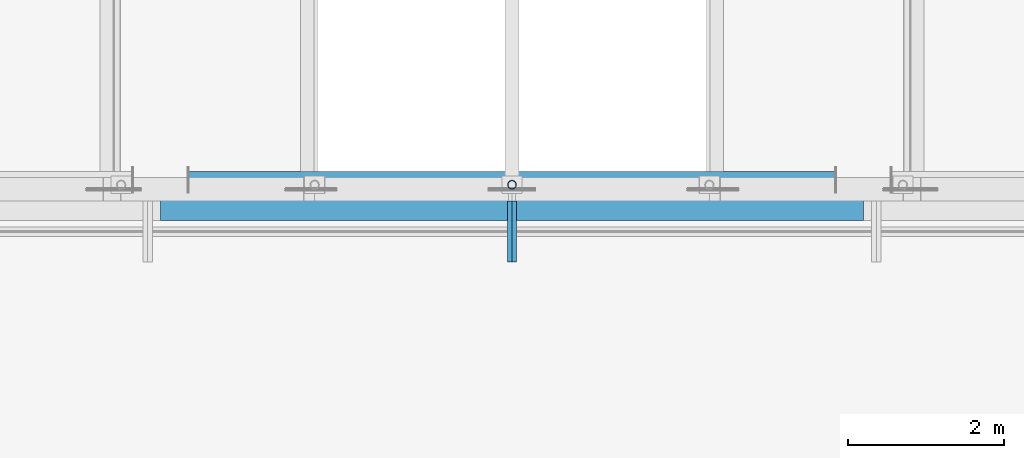
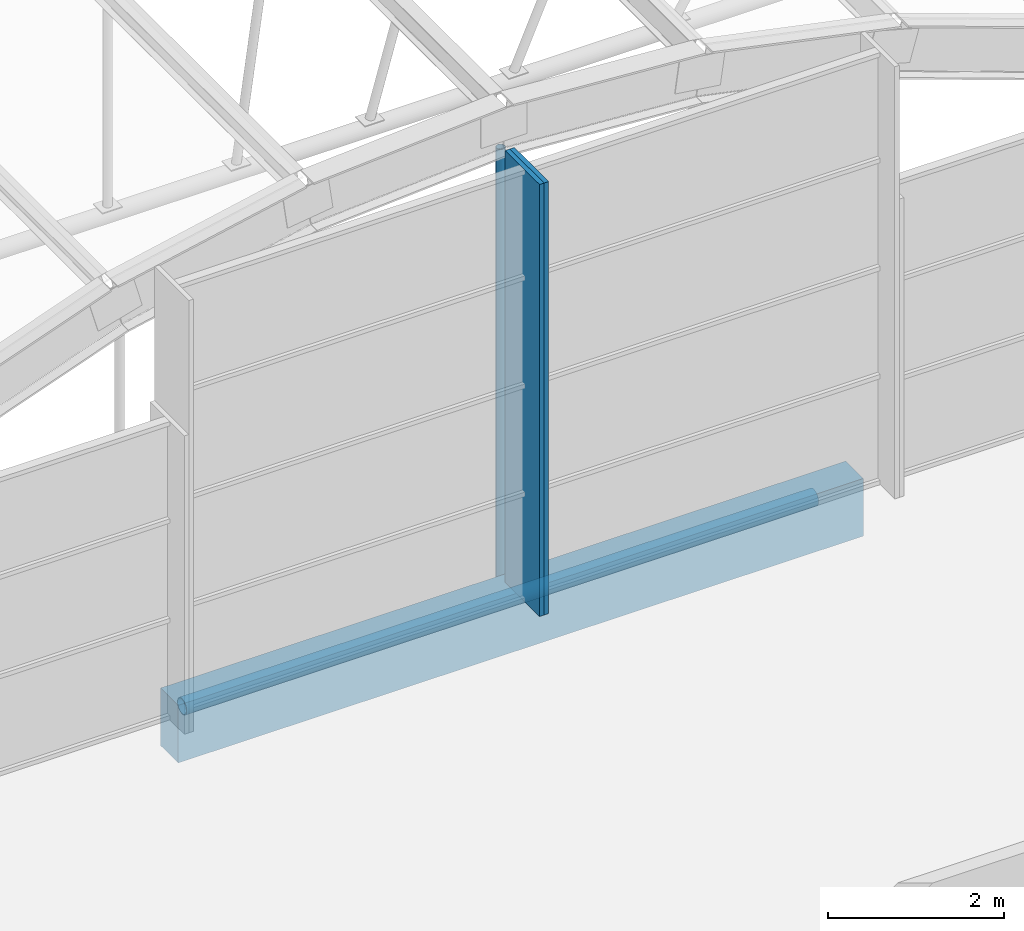
# One storey, part 3 of 43: 4 members, 1 beam, 2 elements without a shape of their own.
"""IFC4 building model written with IfcOpenShell, lengths in metres."""

from ifc_helpers import new_model, si_unit, direction, frame, origin, origin_2d, place, context, subcontext, project, spatial, rectangle, hollow_circle, extrude, material, layer, layer_set, material_profile, profile_set, type_object, element, aggregate, save


model = new_model("IFC4")

# Units and contexts
model_context = context("Model", 3, precision=1e-05, world=origin(), true_north=direction((0.0, 1.0)))
body_context = subcontext(model_context, "Body", "Model", "MODEL_VIEW")
ifc_project = project(units=[si_unit("LENGTHUNIT", "METRE"), si_unit("AREAUNIT", "SQUARE_METRE"), si_unit("VOLUMEUNIT", "CUBIC_METRE"), si_unit("PLANEANGLEUNIT", "RADIAN"), si_unit("MASSUNIT", "GRAM", prefix="KILO")], contexts=[model_context])

# Site, building, storey
site_placement = place(None, origin())
site = spatial("IfcSite", under=ifc_project, at=site_placement, CompositionType="ELEMENT")
building_placement = place(site_placement, origin())
building = spatial("IfcBuilding", under=site, at=building_placement, Name="Guidao Yard Department Store", CompositionType="ELEMENT")
storey_placement = place(building_placement, frame((0.0, 0.0, 28.5)))
storey = spatial("IfcBuildingStorey", under=building, at=storey_placement, Name="L06", CompositionType="ELEMENT", Elevation=28.5)

# Members
ifc_material_1 = material(Name="Steel Q355B", Category="steel")
ifc_material_profile_1 = material_profile(ifc_material_1, hollow_circle(Radius=0.056884765625, WallThickness=0.006103515625, at=origin_2d()), Name="CHS 114x6")
ifc_profile_set_1 = profile_set([ifc_material_profile_1], Name="Steel Q355B")
member_type_1 = type_object("IfcMemberType", Name="CHS 114x6", PredefinedType="BRACE", material=ifc_profile_set_1)
member_1_placement = place(storey_placement, frame((31.5, 54.06005859375, -0.33447265625), z_axis=(0.0, 0.0, 1.0), x_axis=(1.0, 0.0, 0.0)))
element("IfcMember", 1, at=member_1_placement, inside=storey, type_object=member_type_1, Name="Roof web strut A01-06", PredefinedType="BRACE", context=body_context, shape_type="SweptSolid", body=[
    extrude(hollow_circle(Radius=0.056884765625, WallThickness=0.006103515625, at=origin_2d()), origin(), (0.0, 0.0, 1.0), 6.238037109375),
])
ifc_material_2 = material(Name="Steel Q355B", Category="steel")
ifc_material_profile_2 = material_profile(ifc_material_2, hollow_circle(Radius=0.109619140625, WallThickness=0.010009765625, at=origin_2d()), Name="CHS 219x10")
ifc_profile_set_2 = profile_set([ifc_material_profile_2], Name="Steel Q355B")
member_type_2 = type_object("IfcMemberType", Name="CHS 219x10", PredefinedType="BRACE", material=ifc_profile_set_2)
member_2_placement = place(storey_placement, frame((27.35009765625, 54.1201171875, -0.449951171875), z_axis=(1.0, 0.0, 0.0), x_axis=(0.0, 1.0, 0.0)))
element("IfcMember", 2, at=member_2_placement, inside=storey, type_object=member_type_2, Name="Roof tie rod A01-2", PredefinedType="BRACE", context=body_context, shape_type="SweptSolid", body=[
    extrude(hollow_circle(Radius=0.109619140625, WallThickness=0.010009765625, at=origin_2d()), origin(), (0.0, 0.0, 1.0), 8.2998046875),
])

# Curtain wall, member
ifc_material_3 = material(Name="Aluminium and glass", Category="aluminium")
ifc_layer = layer(ifc_material_3, 0.159912109375)
ifc_layer_set = layer_set([ifc_layer], Name="Gable glazing CW7 1500 module")
curtain_wall_type = type_object("IfcCurtainWallType", Name="Gable glazing CW7 1500 module", PredefinedType="NOTDEFINED", material=ifc_layer_set)
curtain_wall_1_placement = place(storey_placement, origin())
curtain_wall_1 = element("IfcCurtainWall", 3, at=curtain_wall_1_placement, inside=storey, type_object=curtain_wall_type, Name="Gable glazing AS3", PredefinedType="NOTDEFINED")
ifc_material_4 = material(Name="Aluminium 6063-T5", Category="aluminium")
ifc_material_profile_3 = material_profile(ifc_material_4, rectangle(XDim=0.06005859375, YDim=0.780029296875, at=origin_2d()), Name="Mullion M3 60 x 780 aluminium pressure plate")
ifc_profile_set_3 = profile_set([ifc_material_profile_3], Name="Aluminium 6063-T5")
member_type_3 = type_object("IfcMemberType", Name="Mullion M3 60 x 780 aluminium pressure plate", PredefinedType="MULLION", material=ifc_profile_set_3)
member_3_placement = place(storey_placement, frame((31.469970703125, 53.4599609375, 0.0), z_axis=(0.0, 0.0, 1.0), x_axis=(-1.0, 0.0, 0.0)))
member_3 = element("IfcMember", 4, at=member_3_placement, type_object=member_type_3, Name="CW-TAS3 mullion 2", PredefinedType="MULLION", context=body_context, shape_type="SweptSolid", body=[
    extrude(rectangle(XDim=0.06005859375, YDim=0.780029296875, at=origin_2d()), origin(), (0.0, 0.0, 1.0), 6.0),
])
aggregate(curtain_wall_1, [member_3])

curtain_wall_2_placement = place(storey_placement, origin())
curtain_wall_2 = element("IfcCurtainWall", 5, at=curtain_wall_2_placement, inside=storey, type_object=curtain_wall_type, Name="Gable glazing AS4", PredefinedType="NOTDEFINED")
member_4_placement = place(storey_placement, frame((31.530029296875, 53.4599609375, 0.0), z_axis=(0.0, 0.0, 1.0), x_axis=(-1.0, 0.0, 0.0)))
member_4 = element("IfcMember", 6, at=member_4_placement, type_object=member_type_3, Name="CW-TAS4 mullion 1", PredefinedType="MULLION", context=body_context, shape_type="SweptSolid", body=[
    extrude(rectangle(XDim=0.06005859375, YDim=0.780029296875, at=origin_2d()), origin(), (0.0, 0.0, 1.0), 6.0),
])
aggregate(curtain_wall_2, [member_4])

# Beam
ifc_material_5 = material(Name="Concrete C40", Category="concrete")
ifc_material_profile_4 = material_profile(ifc_material_5, rectangle(XDim=0.39990234375, YDim=0.800048828125, at=origin_2d()), Name="Vault bearing beam 400 x 800 C40")
ifc_profile_set_4 = profile_set([ifc_material_profile_4], Name="Concrete C40")
beam_type = type_object("IfcBeamType", Name="Vault bearing beam 400 x 800 C40", PredefinedType="BEAM", material=ifc_profile_set_4)
beam_placement = place(storey_placement, frame((27.0, 53.800048828125, -0.39990234375), z_axis=(1.0, 0.0, 0.0), x_axis=(0.0, 1.0, 0.0)))
element("IfcBeam", 7, at=beam_placement, inside=storey, type_object=beam_type, Name="Beam VB06", PredefinedType="BEAM", context=body_context, shape_type="SweptSolid", body=[
    extrude(rectangle(XDim=0.39990234375, YDim=0.800048828125, at=origin_2d()), origin(), (0.0, 0.0, 1.0), 9.0),
])

save(model, "model.ifc")
